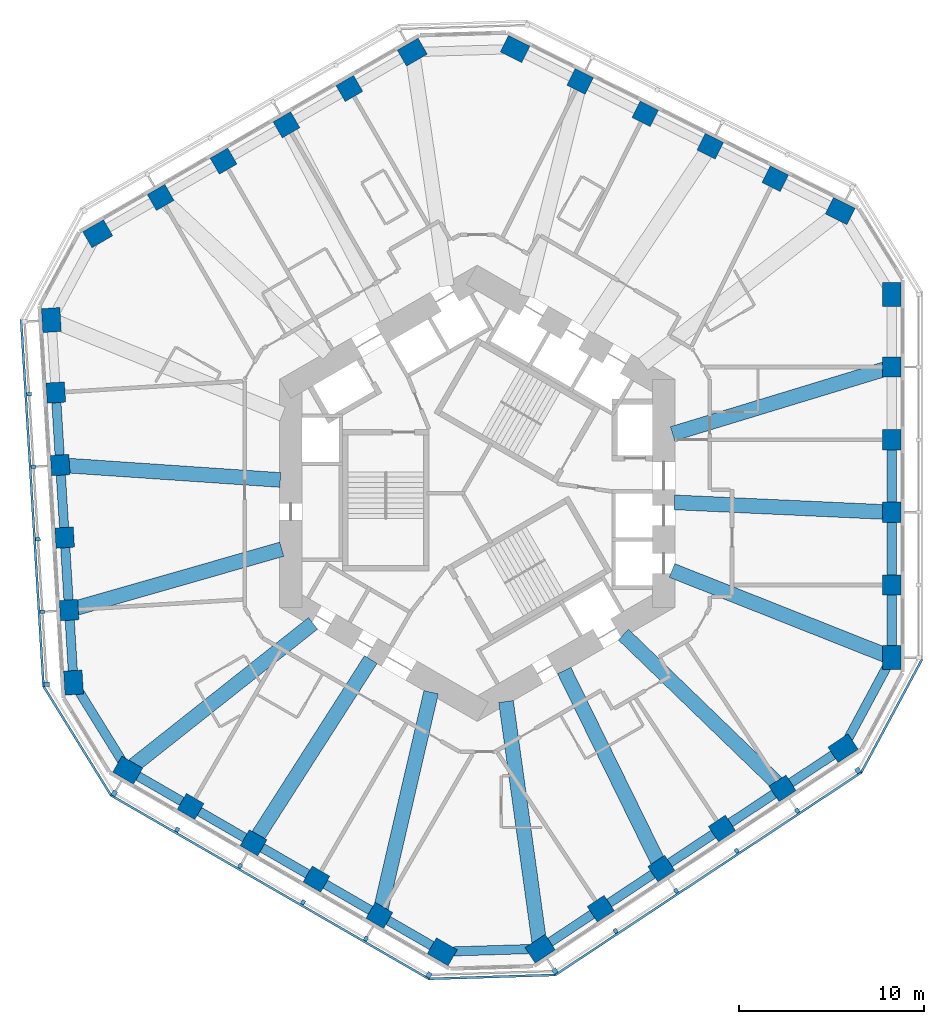
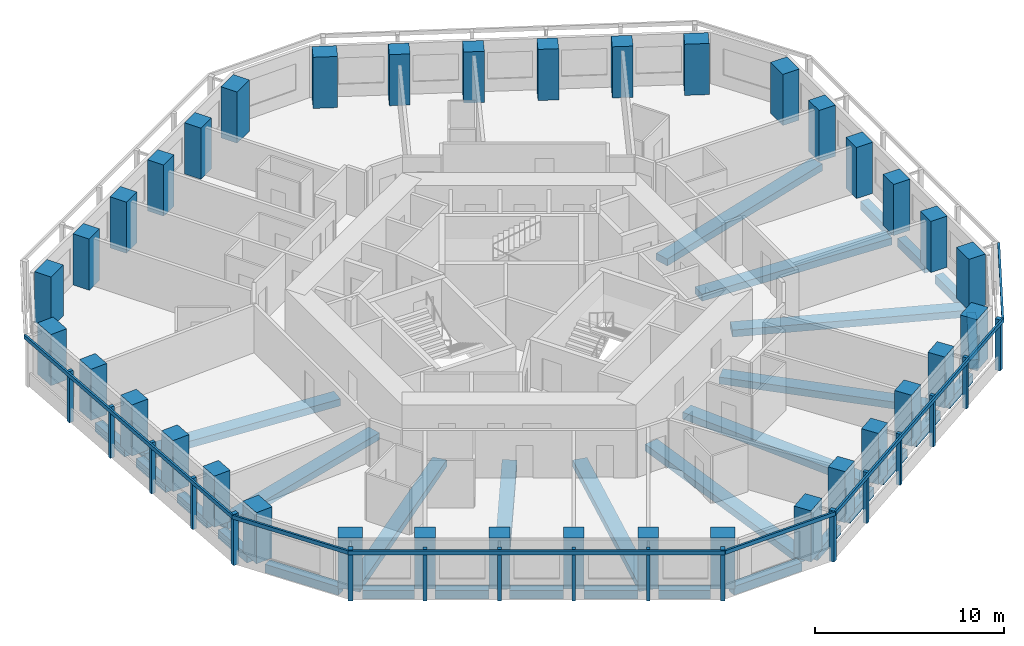
# One storey, part 1 of 12: 36 columns, 31 beams, 23 members, 6 elements without a shape of their own.
"""IFC4 building model written with IfcOpenShell, lengths in metres."""

import ifcopenshell
import ifcopenshell.guid

model = None  # the IFC model being written
_history = None  # IfcOwnerHistory: only IFC2X3 demands one
_inside = {}  # id of a spatial element -> (the spatial element, [elements in it])
_under = {}  # id of a project, library or spatial element -> (it, [spatial elements below it])
_declared = {}  # id of a project -> (the project, [libraries it declares])
_typed = {}  # id of a type object -> (the type object, [elements of that type])
_made_of = {}  # id of a material, layer set ... -> (it, [elements and type objects made of it])


def new_model(schema):
    """Start an empty IFC model of exactly this schema.

    Asked for "IFC4X3", IfcOpenShell would pick the latest addendum, in which some entities
    have other attributes; the version numbers below select the first issue.
    IFC2X3 requires an IfcOwnerHistory on every rooted entity: one is made here for all.
    """
    global model, _history
    if schema == "IFC4X3":
        model = ifcopenshell.file(schema_version=(4, 3, 0, 0))
    else:
        model = ifcopenshell.file(schema=schema)
    _inside.clear()
    _under.clear()
    _declared.clear()
    _typed.clear()
    _made_of.clear()
    _history = None
    if model.schema == "IFC2X3":
        org = make("IfcOrganization", Name="unknown")
        user = make(
            "IfcPersonAndOrganization",
            ThePerson=make("IfcPerson", FamilyName="unknown"),
            TheOrganization=org,
        )
        app = make(
            "IfcApplication",
            ApplicationDeveloper=org,
            Version="unknown",
            ApplicationFullName="unknown",
            ApplicationIdentifier="unknown",
        )
        _history = make(
            "IfcOwnerHistory",
            OwningUser=user,
            OwningApplication=app,
            ChangeAction="ADDED",
            CreationDate=0,
        )
    return model


def make(cls, **values):
    """One entity of the class cls with the attributes given. An attribute that is None is left unset."""
    return model.create_entity(
        cls, **{name: value for name, value in values.items() if value is not None}
    )


def rooted(cls, **values):
    """An entity with a GlobalId (a new one), such as an element, a storey or a relation."""
    return make(cls, GlobalId=ifcopenshell.guid.new(), OwnerHistory=_history, **values)


def si_unit(unit_type, name, prefix=None):
    """IfcSIUnit, for example si_unit("LENGTHUNIT", "METRE", prefix="MILLI")."""
    return make("IfcSIUnit", UnitType=unit_type, Prefix=prefix, Name=name)


def assignment(units):
    """IfcUnitAssignment: the units of a project."""
    return None if units is None else make("IfcUnitAssignment", Units=units)


def point(xyz):
    """IfcCartesianPoint."""
    return None if xyz is None else make("IfcCartesianPoint", Coordinates=xyz)


def direction(xyz):
    """IfcDirection."""
    return None if xyz is None else make("IfcDirection", DirectionRatios=xyz)


def frame(location, z_axis=None, x_axis=None):
    """IfcAxis2Placement3D, a coordinate frame: its origin and axes. An axis left out is left unset."""
    return make(
        "IfcAxis2Placement3D",
        Location=point(location),
        Axis=direction(z_axis),
        RefDirection=direction(x_axis),
    )


def frame_2d(location, x_axis=None):
    """IfcAxis2Placement2D, a coordinate frame in the plane: its origin and x axis."""
    return make(
        "IfcAxis2Placement2D", Location=point(location), RefDirection=direction(x_axis)
    )


def origin():
    """The frame at (0, 0, 0) with its axes left unset."""
    return frame((0.0, 0.0, 0.0))


def origin_2d():
    """The frame at (0, 0) in the plane with its x axis left unset."""
    return frame_2d((0.0, 0.0))


def place(relative_to, where):
    """IfcLocalPlacement: puts the frame where relative to a parent placement (None: the world)."""
    return make(
        "IfcLocalPlacement", PlacementRelTo=relative_to, RelativePlacement=where
    )


def context(
    kind, dimensions, precision=None, world=None, true_north=None, identifier=None
):
    """IfcGeometricRepresentationContext, for example the 3D "Model" context."""
    return make(
        "IfcGeometricRepresentationContext",
        ContextIdentifier=identifier,
        ContextType=kind,
        CoordinateSpaceDimension=dimensions,
        Precision=precision,
        WorldCoordinateSystem=world,
        TrueNorth=true_north,
    )


def subcontext(parent, identifier, kind, view, scale=None):
    """IfcGeometricRepresentationSubContext, for example "Body" below "Model"."""
    return make(
        "IfcGeometricRepresentationSubContext",
        ContextIdentifier=identifier,
        ContextType=kind,
        ParentContext=parent,
        TargetScale=scale,
        TargetView=view,
    )


def project(units=None, contexts=None):
    """IfcProject with its units and contexts."""
    return rooted(
        "IfcProject",
        Name="project",
        RepresentationContexts=contexts,
        UnitsInContext=assignment(units),
    )


def spatial(cls, under=None, at=None, **own):
    """A site, building, storey or space (cls), placed at a placement, below another one or the project."""
    s = rooted(cls, ObjectPlacement=at, **own)
    if under is not None:
        _under.setdefault(under.id(), (under, []))[1].append(s)
    return s


def profile(cls, at=None, kind="AREA", **sizes):
    """A parametric profile (cls). Its sizes go by their IFC names, for example OverallWidth=200.0."""
    return make(cls, ProfileType=kind, Position=at, **sizes)


def rectangle(**sizes):
    """IfcRectangleProfileDef."""
    return profile("IfcRectangleProfileDef", **sizes)


def extrude(swept, where, along, depth):
    """IfcExtrudedAreaSolid: the profile swept, set in the frame where, extruded along a direction by depth."""
    return make(
        "IfcExtrudedAreaSolid",
        SweptArea=swept,
        Position=where,
        ExtrudedDirection=direction(along),
        Depth=depth,
    )


def shape(context_of_items, identifier, shape_type, items):
    """IfcShapeRepresentation: the items that make up one representation, for example the "Body"."""
    return make(
        "IfcShapeRepresentation",
        ContextOfItems=context_of_items,
        RepresentationIdentifier=identifier,
        RepresentationType=shape_type,
        Items=items,
    )


def material(Name=None, Category=None):
    """IfcMaterial."""
    return make("IfcMaterial", Name=Name, Category=Category)


def material_profile(
    of_material, cross_section, Name=None, Category=None, Priority=None
):
    """IfcMaterialProfile: a cross section and its material."""
    return make(
        "IfcMaterialProfile",
        Name=Name,
        Material=of_material,
        Profile=cross_section,
        Priority=Priority,
        Category=Category,
    )


def profile_set(profiles, Name=None, composite=None):
    """IfcMaterialProfileSet."""
    return make(
        "IfcMaterialProfileSet",
        Name=Name,
        MaterialProfiles=profiles,
        CompositeProfile=composite,
    )


def made_of(thing, what):
    """Note that an element or type object is made of a material, layer set ...; save() writes the relation."""
    if what is not None:
        _made_of.setdefault(what.id(), (what, []))[1].append(thing)
    return thing


def type_object(cls, material=None, **own):
    """A type object (cls), such as IfcWallType, which elements share."""
    return made_of(rooted(cls, **own), material)


def element(
    cls,
    number,
    at=None,
    inside=None,
    cuts=None,
    type_object=None,
    material=None,
    context=None,
    identifier="Body",
    shape_type=None,
    held_by="IfcProductDefinitionShape",
    body=None,
    shapes=None,
    **own,
):
    """One element of the class cls, such as IfcWall. Its Tag is "e" and its number.

    at: its placement. inside: the storey or other place that contains it. cuts: it is an
    opening in that element (IfcRelVoidsElement). A single representation is given by context,
    identifier, shape_type and body (its items); several are given by shapes. held_by: the class
    of the entity that holds the representations. save() writes the other relations.
    """
    e = rooted(cls, Tag="e%d" % number, ObjectPlacement=at, **own)
    if body is not None:
        shapes = [shape(context, identifier, shape_type, body)]
    if shapes is not None:
        e.Representation = make(held_by, Representations=shapes)
    if inside is not None:
        _inside.setdefault(inside.id(), (inside, []))[1].append(e)
    if cuts is not None:
        rooted(
            "IfcRelVoidsElement", RelatingBuildingElement=cuts, RelatedOpeningElement=e
        )
    if type_object is not None:
        _typed.setdefault(type_object.id(), (type_object, []))[1].append(e)
    return made_of(e, material)


def aggregate(whole, parts):
    """IfcRelAggregates: a whole, such as a stair, and the parts it consists of."""
    return rooted("IfcRelAggregates", RelatingObject=whole, RelatedObjects=parts)


def save(model, path):
    """Write the relations noted so far, then the file.

    IfcRelAggregates (storeys below a building ...), IfcRelContainedInSpatialStructure (elements
    in a storey), IfcRelDefinesByType, IfcRelAssociatesMaterial and IfcRelDeclares: one each for
    every whole, place, type object, material and project.
    """
    for whole, parts in _under.values():
        aggregate(whole, parts)
    for where, things in _inside.values():
        rooted(
            "IfcRelContainedInSpatialStructure",
            RelatedElements=things,
            RelatingStructure=where,
        )
    for kind, things in _typed.values():
        rooted("IfcRelDefinesByType", RelatedObjects=things, RelatingType=kind)
    for what, things in _made_of.values():
        rooted("IfcRelAssociatesMaterial", RelatedObjects=things, RelatingMaterial=what)
    for by, libraries in _declared.values():
        rooted("IfcRelDeclares", RelatingContext=by, RelatedDefinitions=libraries)
    model.write(path)


model = new_model("IFC4")

# Units and contexts
model_context = context("Model", 3, precision=1e-05, world=origin(), true_north=direction((0.0, 1.0)))
body_context = subcontext(model_context, "Body", "Model", "MODEL_VIEW")
ifc_project = project(units=[si_unit("LENGTHUNIT", "METRE"), si_unit("AREAUNIT", "SQUARE_METRE"), si_unit("VOLUMEUNIT", "CUBIC_METRE"), si_unit("PLANEANGLEUNIT", "RADIAN"), si_unit("MASSUNIT", "GRAM", prefix="KILO")], contexts=[model_context])

# Site, building, storey
site_placement = place(None, origin())
site = spatial("IfcSite", under=ifc_project, at=site_placement, CompositionType="ELEMENT")
building_placement = place(site_placement, origin())
building = spatial("IfcBuilding", under=site, at=building_placement, Name="Vanh Sen Convention Tower", CompositionType="ELEMENT")
storey_placement = place(building_placement, frame((0.0, 0.0, 106.699951171875)))
storey = spatial("IfcBuildingStorey", under=building, at=storey_placement, Name="L25", CompositionType="ELEMENT", Elevation=106.699951171875)

# Columns
ifc_material_1 = material(Name="Concrete C80/95", Category="concrete")
ifc_material_profile_1 = material_profile(ifc_material_1, rectangle(XDim=1.10009765625, YDim=1.0, at=origin_2d()), Name="RC 1100X1000")
ifc_profile_set_1 = profile_set([ifc_material_profile_1], Name="Concrete C80/95")
column_type_1 = type_object("IfcColumnType", Name="Facade column 1100 x 1000 C80/95", PredefinedType="COLUMN", material=ifc_profile_set_1)
for number, where, z_axis, x_axis, name in (
    (1, (22.449951171875, -4.964599609375, 0.0), (0.0, 0.0, 1.0), (0.0, 1.0, 0.0), "Facade column 02 L25"),
    (2, (22.449951171875, -1.030029296875, 0.0), (0.0, 0.0, 1.0), (0.0, 1.0, 0.0), "Facade column 03 L25"),
    (3, (22.449951171875, 2.904541015625, 0.0), (0.0, 0.0, 1.0), (0.0, 1.0, 0.0), "Facade column 04 L25"),
    (4, (22.449951171875, 6.839111328125, 0.0), (0.0, 0.0, 1.0), (0.0, 1.0, 0.0), "Facade column 05 L25"),
    (5, (16.1376953125, 17.039794921875, 0.0), (0.0, 0.0, 1.0), (-0.894934361602, 0.44619781311, 0.0), "Facade column 08 L25"),
    (6, (12.616455078125, 18.79541015625, 0.0), (0.0, 0.0, 1.0), (-0.894934361602, 0.44619781311, 0.0), "Facade column 09 L25"),
    (7, (9.09521484375, 20.55078125, 0.0), (0.0, 0.0, 1.0), (-0.894934361602, 0.44619781311, 0.0), "Facade column 10 L25"),
    (8, (5.57421875, 22.306396484375, 0.0), (0.0, 0.0, 1.0), (-0.894934361602, 0.44619781311, 0.0), "Facade column 11 L25"),
    (9, (-6.925537109375, 21.924560546875, 0.0), (0.0, 0.0, 1.0), (-0.866025403784, -0.5, 0.0), "Facade column 14 L25"),
    (10, (-10.3330078125, 19.957275390625, 0.0), (0.0, 0.0, 1.0), (-0.866025403784, -0.5, 0.0), "Facade column 15 L25"),
    (11, (-13.740478515625, 17.989990234375, 0.0), (0.0, 0.0, 1.0), (-0.866025403784, -0.5, 0.0), "Facade column 16 L25"),
    (12, (-17.14794921875, 16.022705078125, 0.0), (0.0, 0.0, 1.0), (-0.866025403784, -0.5, 0.0), "Facade column 17 L25"),
    (13, (-22.82568359375, 5.455810546875, 0.0), (0.0, 0.0, 1.0), (0.061048539535, -0.998134798422, 0.0), "Facade column 20 L25"),
    (14, (-22.58544921875, 1.528564453125, 0.0), (0.0, 0.0, 1.0), (0.061048539535, -0.998134798422, 0.0), "Facade column 21 L25"),
    (15, (-22.34521484375, -2.398681640625, 0.0), (0.0, 0.0, 1.0), (0.061048539535, -0.998134798422, 0.0), "Facade column 22 L25"),
    (16, (-22.10498046875, -6.325927734375, 0.0), (0.0, 0.0, 1.0), (0.061048539535, -0.998134798422, 0.0), "Facade column 23 L25"),
    (17, (-15.5244140625, -16.9599609375, 0.0), (0.0, 0.0, 1.0), (0.866025403784, -0.5, 0.0), "Facade column 26 L25"),
    (18, (-12.1171875, -18.92724609375, 0.0), (0.0, 0.0, 1.0), (0.866025403784, -0.5, 0.0), "Facade column 27 L25"),
    (19, (-8.709716796875, -20.89453125, 0.0), (0.0, 0.0, 1.0), (0.866025403784, -0.5, 0.0), "Facade column 28 L25"),
    (20, (-5.302001953125, -22.86181640625, 0.0), (0.0, 0.0, 1.0), (0.866025403784, -0.5, 0.0), "Facade column 29 L25"),
    (21, (6.68798828125, -22.49560546875, 0.0), (0.0, 0.0, 1.0), (0.833885822067, 0.551936985312, 0.0), "Facade column 32 L25"),
    (22, (9.968994140625, -20.323974609375, 0.0), (0.0, 0.0, 1.0), (0.833885822067, 0.551936985312, 0.0), "Facade column 33 L25"),
    (23, (13.25, -18.152099609375, 0.0), (0.0, 0.0, 1.0), (0.833885822067, 0.551936985312, 0.0), "Facade column 34 L25"),
    (24, (16.531005859375, -15.980712890625, 0.0), (0.0, 0.0, 1.0), (0.833885822067, 0.551936985312, 0.0), "Facade column 35 L25"),
):
    element("IfcColumn", number, at=place(storey_placement, frame(where, z_axis=z_axis, x_axis=x_axis)), inside=storey, type_object=column_type_1, Name=name, PredefinedType="COLUMN", context=body_context, shape_type="SweptSolid", body=[
        extrude(rectangle(XDim=1.10009765625, YDim=1.0, at=origin_2d()), origin(), (0.0, 0.0, 1.0), 3.300048828125),
    ])
ifc_material_profile_2 = material_profile(ifc_material_1, rectangle(XDim=1.300048828125, YDim=1.0, at=origin_2d()), Name="RC 1300X1000")
ifc_profile_set_2 = profile_set([ifc_material_profile_2], Name="Concrete C80/95")
column_type_2 = type_object("IfcColumnType", Name="Facade corner column 1300 x 1000 C80/95", PredefinedType="COLUMN", material=ifc_profile_set_2)
for number, where, z_axis, x_axis, name in (
    (25, (22.449951171875, -8.899169921875, 0.0), (0.0, 0.0, 1.0), (0.0, 1.0, 0.0), "Facade column 01 L25"),
    (26, (22.449951171875, 10.773681640625, 0.0), (0.0, 0.0, 1.0), (0.0, 1.0, 0.0), "Facade column 06 L25"),
    (27, (19.658935546875, 15.2841796875, 0.0), (0.0, 0.0, 1.0), (-0.894934361602, 0.44619781311, 0.0), "Facade column 07 L25"),
    (28, (2.052978515625, 24.06201171875, 0.0), (0.0, 0.0, 1.0), (-0.894934361602, 0.44619781311, 0.0), "Facade column 12 L25"),
    (29, (-3.51806640625, 23.891845703125, 0.0), (0.0, 0.0, 1.0), (-0.866025403784, -0.5, 0.0), "Facade column 13 L25"),
    (30, (-20.555419921875, 14.055419921875, 0.0), (0.0, 0.0, 1.0), (-0.866025403784, -0.5, 0.0), "Facade column 18 L25"),
    (31, (-23.06591796875, 9.383056640625, 0.0), (0.0, 0.0, 1.0), (0.061048539535, -0.998134798422, 0.0), "Facade column 19 L25"),
    (32, (-21.86474609375, -10.253173828125, 0.0), (0.0, 0.0, 1.0), (0.061048539535, -0.998134798422, 0.0), "Facade column 24 L25"),
    (33, (-18.931884765625, -14.99267578125, 0.0), (0.0, 0.0, 1.0), (0.866025403784, -0.5, 0.0), "Facade column 25 L25"),
    (34, (-1.894775390625, -24.8291015625, 0.0), (0.0, 0.0, 1.0), (0.866025403784, -0.5, 0.0), "Facade column 30 L25"),
    (35, (3.406982421875, -24.6669921875, 0.0), (0.0, 0.0, 1.0), (0.833885822067, 0.551936985312, 0.0), "Facade column 31 L25"),
    (36, (19.81201171875, -13.808837890625, 0.0), (0.0, 0.0, 1.0), (0.833885822067, 0.551936985312, 0.0), "Facade column 36 L25"),
):
    element("IfcColumn", number, at=place(storey_placement, frame(where, z_axis=z_axis, x_axis=x_axis)), inside=storey, type_object=column_type_2, Name=name, PredefinedType="COLUMN", context=body_context, shape_type="SweptSolid", body=[
        extrude(rectangle(XDim=1.300048828125, YDim=1.0, at=origin_2d()), origin(), (0.0, 0.0, 1.0), 3.300048828125),
    ])

# Curtain wall, member
ifc_material_2 = material(Name="Concrete C50/60", Category="concrete")
curtain_wall_type = type_object("IfcCurtainWallType", Name="Outer skin hotel zone", PredefinedType="NOTDEFINED", material=ifc_material_2)
curtain_wall_1_placement = place(storey_placement, origin())
curtain_wall_1 = element("IfcCurtainWall", 37, at=curtain_wall_1_placement, inside=storey, type_object=curtain_wall_type, Name="OUTER SKIN W L25", PredefinedType="NOTDEFINED")
ifc_material_profile_3 = material_profile(ifc_material_2, rectangle(XDim=0.25, YDim=0.300048828125, at=origin_2d()), Name="Outer skin precast corner fin 250 x 300")
ifc_profile_set_3 = profile_set([ifc_material_profile_3], Name="Concrete C50/60")
member_type_1 = type_object("IfcMemberType", Name="Outer skin precast corner fin 250 x 300", PredefinedType="MULLION", material=ifc_profile_set_3)
member_1_placement = place(storey_placement, frame((-23.31201171875, -10.341796875, 0.0), z_axis=(0.0, 0.0, 1.0), x_axis=(0.061048539535, -0.998134798422, 0.0)))
member_1 = element("IfcMember", 38, at=member_1_placement, type_object=member_type_1, Name="OUTER SKIN CORNER FIN 6 W L25", PredefinedType="MULLION", context=body_context, shape_type="SweptSolid", body=[
    extrude(rectangle(XDim=0.25, YDim=0.300048828125, at=origin_2d()), origin(), (0.0, 0.0, 1.0), 3.300048828125),
])

# Curtain wall, members
curtain_wall_2_placement = place(storey_placement, origin())
curtain_wall_2 = element("IfcCurtainWall", 39, at=curtain_wall_2_placement, inside=storey, type_object=curtain_wall_type, Name="OUTER SKIN SW L25", PredefinedType="NOTDEFINED")
member_2_placement = place(storey_placement, frame((-19.656982421875, -16.248291015625, 0.0), z_axis=(0.0, 0.0, 1.0), x_axis=(0.866025403784, -0.5, 0.0)))
member_2 = element("IfcMember", 40, at=member_2_placement, type_object=member_type_1, Name="OUTER SKIN CORNER FIN 1 SW L25", PredefinedType="MULLION", context=body_context, shape_type="SweptSolid", body=[
    extrude(rectangle(XDim=0.25, YDim=0.300048828125, at=origin_2d()), origin(), (0.0, 0.0, 1.0), 3.300048828125),
])
member_3_placement = place(storey_placement, frame((-2.61962890625, -26.084716796875, 0.0), z_axis=(0.0, 0.0, 1.0), x_axis=(0.866025403784, -0.5, 0.0)))
member_3 = element("IfcMember", 41, at=member_3_placement, type_object=member_type_1, Name="OUTER SKIN CORNER FIN 6 SW L25", PredefinedType="MULLION", context=body_context, shape_type="SweptSolid", body=[
    extrude(rectangle(XDim=0.25, YDim=0.300048828125, at=origin_2d()), origin(), (0.0, 0.0, 1.0), 3.300048828125),
])

curtain_wall_3_placement = place(storey_placement, origin())
curtain_wall_3 = element("IfcCurtainWall", 42, at=curtain_wall_3_placement, inside=storey, type_object=curtain_wall_type, Name="OUTER SKIN SE L25", PredefinedType="NOTDEFINED")
member_4_placement = place(storey_placement, frame((4.207275390625, -25.876220703125, 0.0), z_axis=(0.0, 0.0, 1.0), x_axis=(0.833885822067, 0.551936985312, 0.0)))
member_4 = element("IfcMember", 43, at=member_4_placement, type_object=member_type_1, Name="OUTER SKIN CORNER FIN 1 SE L25", PredefinedType="MULLION", context=body_context, shape_type="SweptSolid", body=[
    extrude(rectangle(XDim=0.25, YDim=0.300048828125, at=origin_2d()), origin(), (0.0, 0.0, 1.0), 3.300048828125),
])
member_5_placement = place(storey_placement, frame((20.6123046875, -15.01806640625, 0.0), z_axis=(0.0, 0.0, 1.0), x_axis=(0.833885822067, 0.551936985312, 0.0)))
member_5 = element("IfcMember", 44, at=member_5_placement, type_object=member_type_1, Name="OUTER SKIN CORNER FIN 6 SE L25", PredefinedType="MULLION", context=body_context, shape_type="SweptSolid", body=[
    extrude(rectangle(XDim=0.25, YDim=0.300048828125, at=origin_2d()), origin(), (0.0, 0.0, 1.0), 3.300048828125),
])

# Member
ifc_material_profile_4 = material_profile(ifc_material_2, rectangle(XDim=0.199951171875, YDim=0.25, at=origin_2d()), Name="Outer skin precast fin 200 x 250")
ifc_profile_set_4 = profile_set([ifc_material_profile_4], Name="Concrete C50/60")
member_type_2 = type_object("IfcMemberType", Name="Outer skin precast fin 200 x 250", PredefinedType="MULLION", material=ifc_profile_set_4)
member_6_placement = place(storey_placement, frame((-24.27294921875, 5.3671875, 0.0), z_axis=(0.0, 0.0, 1.0), x_axis=(0.061048539535, -0.998134798422, 0.0)))
member_6 = element("IfcMember", 45, at=member_6_placement, type_object=member_type_2, Name="OUTER SKIN fin 2 W L25", PredefinedType="MULLION", context=body_context, shape_type="SweptSolid", body=[
    extrude(rectangle(XDim=0.199951171875, YDim=0.25, at=origin_2d()), origin(), (0.0, 0.0, 1.0), 3.300048828125),
])

member_7_placement = place(storey_placement, frame((-24.03271484375, 1.440185546875, 0.0), z_axis=(0.0, 0.0, 1.0), x_axis=(0.061048539535, -0.998134798422, 0.0)))
member_7 = element("IfcMember", 46, at=member_7_placement, type_object=member_type_2, Name="OUTER SKIN fin 3 W L25", PredefinedType="MULLION", context=body_context, shape_type="SweptSolid", body=[
    extrude(rectangle(XDim=0.199951171875, YDim=0.25, at=origin_2d()), origin(), (0.0, 0.0, 1.0), 3.300048828125),
])

member_8_placement = place(storey_placement, frame((-23.79248046875, -2.4873046875, 0.0), z_axis=(0.0, 0.0, 1.0), x_axis=(0.061048539535, -0.998134798422, 0.0)))
member_8 = element("IfcMember", 47, at=member_8_placement, type_object=member_type_2, Name="OUTER SKIN fin 4 W L25", PredefinedType="MULLION", context=body_context, shape_type="SweptSolid", body=[
    extrude(rectangle(XDim=0.199951171875, YDim=0.25, at=origin_2d()), origin(), (0.0, 0.0, 1.0), 3.300048828125),
])

member_9_placement = place(storey_placement, frame((-23.55224609375, -6.414306640625, 0.0), z_axis=(0.0, 0.0, 1.0), x_axis=(0.061048539535, -0.998134798422, 0.0)))
member_9 = element("IfcMember", 48, at=member_9_placement, type_object=member_type_2, Name="OUTER SKIN fin 5 W L25", PredefinedType="MULLION", context=body_context, shape_type="SweptSolid", body=[
    extrude(rectangle(XDim=0.199951171875, YDim=0.25, at=origin_2d()), origin(), (0.0, 0.0, 1.0), 3.300048828125),
])

member_10_placement = place(storey_placement, frame((-16.24951171875, -18.2158203125, 0.0), z_axis=(0.0, 0.0, 1.0), x_axis=(0.866025403784, -0.5, 0.0)))
member_10 = element("IfcMember", 49, at=member_10_placement, type_object=member_type_2, Name="OUTER SKIN fin 2 SW L25", PredefinedType="MULLION", context=body_context, shape_type="SweptSolid", body=[
    extrude(rectangle(XDim=0.199951171875, YDim=0.25, at=origin_2d()), origin(), (0.0, 0.0, 1.0), 3.300048828125),
])

member_11_placement = place(storey_placement, frame((-12.842041015625, -20.182861328125, 0.0), z_axis=(0.0, 0.0, 1.0), x_axis=(0.866025403784, -0.5, 0.0)))
member_11 = element("IfcMember", 50, at=member_11_placement, type_object=member_type_2, Name="OUTER SKIN fin 3 SW L25", PredefinedType="MULLION", context=body_context, shape_type="SweptSolid", body=[
    extrude(rectangle(XDim=0.199951171875, YDim=0.25, at=origin_2d()), origin(), (0.0, 0.0, 1.0), 3.300048828125),
])

member_12_placement = place(storey_placement, frame((-9.4345703125, -22.150146484375, 0.0), z_axis=(0.0, 0.0, 1.0), x_axis=(0.866025403784, -0.5, 0.0)))
member_12 = element("IfcMember", 51, at=member_12_placement, type_object=member_type_2, Name="OUTER SKIN fin 4 SW L25", PredefinedType="MULLION", context=body_context, shape_type="SweptSolid", body=[
    extrude(rectangle(XDim=0.199951171875, YDim=0.25, at=origin_2d()), origin(), (0.0, 0.0, 1.0), 3.300048828125),
])

member_13_placement = place(storey_placement, frame((-6.027099609375, -24.117431640625, 0.0), z_axis=(0.0, 0.0, 1.0), x_axis=(0.866025403784, -0.5, 0.0)))
member_13 = element("IfcMember", 52, at=member_13_placement, type_object=member_type_2, Name="OUTER SKIN fin 5 SW L25", PredefinedType="MULLION", context=body_context, shape_type="SweptSolid", body=[
    extrude(rectangle(XDim=0.199951171875, YDim=0.25, at=origin_2d()), origin(), (0.0, 0.0, 1.0), 3.300048828125),
])

member_14_placement = place(storey_placement, frame((7.48828125, -23.70458984375, 0.0), z_axis=(0.0, 0.0, 1.0), x_axis=(0.833885822067, 0.551936985312, 0.0)))
member_14 = element("IfcMember", 53, at=member_14_placement, type_object=member_type_2, Name="OUTER SKIN fin 2 SE L25", PredefinedType="MULLION", context=body_context, shape_type="SweptSolid", body=[
    extrude(rectangle(XDim=0.199951171875, YDim=0.25, at=origin_2d()), origin(), (0.0, 0.0, 1.0), 3.300048828125),
])

member_15_placement = place(storey_placement, frame((10.769287109375, -21.532958984375, 0.0), z_axis=(0.0, 0.0, 1.0), x_axis=(0.833885822067, 0.551936985312, 0.0)))
member_15 = element("IfcMember", 54, at=member_15_placement, type_object=member_type_2, Name="OUTER SKIN fin 3 SE L25", PredefinedType="MULLION", context=body_context, shape_type="SweptSolid", body=[
    extrude(rectangle(XDim=0.199951171875, YDim=0.25, at=origin_2d()), origin(), (0.0, 0.0, 1.0), 3.300048828125),
])

member_16_placement = place(storey_placement, frame((14.05029296875, -19.361328125, 0.0), z_axis=(0.0, 0.0, 1.0), x_axis=(0.833885822067, 0.551936985312, 0.0)))
member_16 = element("IfcMember", 55, at=member_16_placement, type_object=member_type_2, Name="OUTER SKIN fin 4 SE L25", PredefinedType="MULLION", context=body_context, shape_type="SweptSolid", body=[
    extrude(rectangle(XDim=0.199951171875, YDim=0.25, at=origin_2d()), origin(), (0.0, 0.0, 1.0), 3.300048828125),
])

member_17_placement = place(storey_placement, frame((17.331298828125, -17.189697265625, 0.0), z_axis=(0.0, 0.0, 1.0), x_axis=(0.833885822067, 0.551936985312, 0.0)))
member_17 = element("IfcMember", 56, at=member_17_placement, type_object=member_type_2, Name="OUTER SKIN fin 5 SE L25", PredefinedType="MULLION", context=body_context, shape_type="SweptSolid", body=[
    extrude(rectangle(XDim=0.199951171875, YDim=0.25, at=origin_2d()), origin(), (0.0, 0.0, 1.0), 3.300048828125),
])

ifc_material_profile_5 = material_profile(ifc_material_2, rectangle(XDim=0.1201171875, YDim=0.25, at=origin_2d()), Name="Outer skin precast spandrel band 250 x 120")
ifc_profile_set_5 = profile_set([ifc_material_profile_5], Name="Concrete C50/60")
member_type_3 = type_object("IfcMemberType", Name="Outer skin precast spandrel band 250 x 120", PredefinedType="USERDEFINED", material=ifc_profile_set_5)
member_18_placement = place(storey_placement, frame((-24.705322265625, 9.408203125, 3.175048828125), z_axis=(0.061050017989, -0.998134707995, 0.0), x_axis=(0.998134707995, 0.061050017989, 0.0)))
member_18 = element("IfcMember", 57, at=member_18_placement, type_object=member_type_3, Name="OUTER SKIN spandrel band W L25", ObjectType="TRANSOM", PredefinedType="USERDEFINED", context=body_context, shape_type="SweptSolid", body=[
    extrude(rectangle(XDim=0.1201171875, YDim=0.25, at=origin_2d()), origin(), (0.0, 0.0, 1.0), 19.923095703125),
])

aggregate(curtain_wall_1, [member_6, member_7, member_8, member_9, member_1, member_18])

# Curtain wall, member
curtain_wall_4_placement = place(storey_placement, origin())
curtain_wall_4 = element("IfcCurtainWall", 58, at=curtain_wall_4_placement, inside=storey, type_object=curtain_wall_type, Name="OUTER SKIN CH4 L25", PredefinedType="NOTDEFINED")
member_19_placement = place(storey_placement, frame((-23.49072265625, -10.4521484375, 3.175048828125), z_axis=(0.526196095141, -0.850363257354, 0.0), x_axis=(0.850363257354, 0.526196095141, 0.0)))
member_19 = element("IfcMember", 59, at=member_19_placement, type_object=member_type_3, Name="OUTER SKIN spandrel band CH4 L25", ObjectType="TRANSOM", PredefinedType="USERDEFINED", context=body_context, shape_type="SweptSolid", body=[
    extrude(rectangle(XDim=0.1201171875, YDim=0.25, at=origin_2d()), origin(), (0.0, 0.0, 1.0), 6.946044921875),
])
aggregate(curtain_wall_4, [member_19])

# Member
member_20_placement = place(storey_placement, frame((-19.85791015625, -16.34619140625, 3.175048828125), z_axis=(0.866028047459, -0.499995420993, 0.0), x_axis=(0.499995420993, 0.866028047459, 0.0)))
member_20 = element("IfcMember", 60, at=member_20_placement, type_object=member_type_3, Name="OUTER SKIN spandrel band SW L25", ObjectType="TRANSOM", PredefinedType="USERDEFINED", context=body_context, shape_type="SweptSolid", body=[
    extrude(rectangle(XDim=0.1201171875, YDim=0.25, at=origin_2d()), origin(), (0.0, 0.0, 1.0), 19.923095703125),
])

aggregate(curtain_wall_2, [member_2, member_10, member_11, member_12, member_13, member_3, member_20])

# Curtain wall, member
curtain_wall_5_placement = place(storey_placement, origin())
curtain_wall_5 = element("IfcCurtainWall", 61, at=curtain_wall_5_placement, inside=storey, type_object=curtain_wall_type, Name="OUTER SKIN CH5 L25", PredefinedType="NOTDEFINED")
member_21_placement = place(storey_placement, frame((-2.61328125, -26.294677734375, 3.175048828125), z_axis=(0.99953396928, 0.030526124156, 0.0), x_axis=(-0.030526124156, 0.99953396928, 0.0)))
member_21 = element("IfcMember", 62, at=member_21_placement, type_object=member_type_3, Name="OUTER SKIN spandrel band CH5 L25", ObjectType="TRANSOM", PredefinedType="USERDEFINED", context=body_context, shape_type="SweptSolid", body=[
    extrude(rectangle(XDim=0.1201171875, YDim=0.25, at=origin_2d()), origin(), (0.0, 0.0, 1.0), 6.830078125),
])
aggregate(curtain_wall_5, [member_21])

# Member
member_22_placement = place(storey_placement, frame((4.205078125, -26.099609375, 3.175048828125), z_axis=(0.833883851182, 0.551939962984, 0.0), x_axis=(-0.551939962984, 0.833883851182, 0.0)))
member_22 = element("IfcMember", 63, at=member_22_placement, type_object=member_type_3, Name="OUTER SKIN spandrel band SE L25", ObjectType="TRANSOM", PredefinedType="USERDEFINED", context=body_context, shape_type="SweptSolid", body=[
    extrude(rectangle(XDim=0.1201171875, YDim=0.25, at=origin_2d()), origin(), (0.0, 0.0, 1.0), 19.923095703125),
])

aggregate(curtain_wall_3, [member_4, member_14, member_15, member_16, member_17, member_5, member_22])

# Curtain wall, member
curtain_wall_6_placement = place(storey_placement, origin())
curtain_wall_6 = element("IfcCurtainWall", 64, at=curtain_wall_6_placement, inside=storey, type_object=curtain_wall_type, Name="OUTER SKIN CH6 L25", PredefinedType="NOTDEFINED")
member_23_placement = place(storey_placement, frame((20.797119140625, -15.117431640625, 3.175048828125), z_axis=(0.473324148816, 0.880888330123, 0.0), x_axis=(-0.880888330123, 0.473324148816, 0.0)))
member_23 = element("IfcMember", 65, at=member_23_placement, type_object=member_type_3, Name="OUTER SKIN spandrel band CH6 L25", ObjectType="TRANSOM", PredefinedType="USERDEFINED", context=body_context, shape_type="SweptSolid", body=[
    extrude(rectangle(XDim=0.1201171875, YDim=0.25, at=origin_2d()), origin(), (0.0, 0.0, 1.0), 6.9462890625),
])
aggregate(curtain_wall_6, [member_23])

# Beams
ifc_material_3 = material(Name="Concrete C50/60", Category="concrete")
ifc_material_profile_6 = material_profile(ifc_material_3, rectangle(XDim=0.800048828125, YDim=0.449951171875, at=origin_2d()), Name="RC 800X450")
ifc_profile_set_6 = profile_set([ifc_material_profile_6], Name="Concrete C50/60")
beam_type_1 = type_object("IfcBeamType", Name="Radial floor beam 800 x 450", PredefinedType="BEAM", material=ifc_profile_set_6)
beam_1_placement = place(storey_placement, frame((22.10205078125, -8.76123046875, -0.474853515625), z_axis=(-0.929623737454, 0.368510117584, 0.0), x_axis=(-0.368510117584, -0.929623737454, 0.0)))
element("IfcBeam", 66, at=beam_1_placement, inside=storey, type_object=beam_type_1, Name="Radial beam 01 L25", PredefinedType="BEAM", context=body_context, shape_type="SweptSolid", body=[
    extrude(rectangle(XDim=0.800048828125, YDim=0.449951171875, at=origin_2d()), origin(), (0.0, 0.0, 1.0), 12.4287109375),
])
beam_2_placement = place(storey_placement, frame((21.973388671875, -1.00830078125, -0.474853515625), z_axis=(-0.998949085964, 0.045833651953, 0.0), x_axis=(-0.045833651953, -0.998949085964, 0.0)))
element("IfcBeam", 67, at=beam_2_placement, inside=storey, type_object=beam_type_1, Name="Radial beam 02 L25", PredefinedType="BEAM", context=body_context, shape_type="SweptSolid", body=[
    extrude(rectangle(XDim=0.800048828125, YDim=0.449951171875, at=origin_2d()), origin(), (0.0, 0.0, 1.0), 11.30859375),
])
beam_3_placement = place(storey_placement, frame((22.0712890625, 6.7236328125, -0.474853515625), z_axis=(-0.956599525752, -0.29140581211, 0.0), x_axis=(0.29140581211, -0.956599525752, 0.0)))
element("IfcBeam", 68, at=beam_3_placement, inside=storey, type_object=beam_type_1, Name="Radial beam 03 L25", PredefinedType="BEAM", context=body_context, shape_type="SweptSolid", body=[
    extrude(rectangle(XDim=0.800048828125, YDim=0.449951171875, at=origin_2d()), origin(), (0.0, 0.0, 1.0), 12.01416015625),
])
beam_4_placement = place(storey_placement, frame((-22.138916015625, 1.498291015625, -0.474853515625), z_axis=(0.997717468066, -0.0675266904, 0.0), x_axis=(0.0675266904, 0.997717468066, 0.0)))
element("IfcBeam", 69, at=beam_4_placement, inside=storey, type_object=beam_type_1, Name="Radial beam 11 L25", PredefinedType="BEAM", context=body_context, shape_type="SweptSolid", body=[
    extrude(rectangle(XDim=0.800048828125, YDim=0.449951171875, at=origin_2d()), origin(), (0.0, 0.0, 1.0), 11.4970703125),
])
beam_5_placement = place(storey_placement, frame((-21.70263671875, -6.210693359375, -0.474853515625), z_axis=(0.96140993594, 0.275119855837, 0.0), x_axis=(-0.275119855837, 0.96140993594, 0.0)))
element("IfcBeam", 70, at=beam_5_placement, inside=storey, type_object=beam_type_1, Name="Radial beam 12 L25", PredefinedType="BEAM", context=body_context, shape_type="SweptSolid", body=[
    extrude(rectangle(XDim=0.800048828125, YDim=0.449951171875, at=origin_2d()), origin(), (0.0, 0.0, 1.0), 11.563720703125),
])
beam_6_placement = place(storey_placement, frame((-18.638671875, -14.76025390625, -0.474853515625), z_axis=(0.78395420425, 0.620818657612, 0.0), x_axis=(-0.620818657612, 0.78395420425, 0.0)))
element("IfcBeam", 71, at=beam_6_placement, inside=storey, type_object=beam_type_1, Name="Radial beam 13 L25", PredefinedType="BEAM", context=body_context, shape_type="SweptSolid", body=[
    extrude(rectangle(XDim=0.800048828125, YDim=0.449951171875, at=origin_2d()), origin(), (0.0, 0.0, 1.0), 12.428955078125),
])
beam_7_placement = place(storey_placement, frame((-11.85986328125, -18.525390625, -0.474853515625), z_axis=(0.539160288654, 0.842203172126, 0.0), x_axis=(-0.842203172126, 0.539160288654, 0.0)))
element("IfcBeam", 72, at=beam_7_placement, inside=storey, type_object=beam_type_1, Name="Radial beam 14 L25", PredefinedType="BEAM", context=body_context, shape_type="SweptSolid", body=[
    extrude(rectangle(XDim=0.800048828125, YDim=0.449951171875, at=origin_2d()), origin(), (0.0, 0.0, 1.0), 11.30859375),
])
beam_8_placement = place(storey_placement, frame((-5.212646484375, -22.476318359375, -0.474853515625), z_axis=(0.225927931957, 0.974144018902, 0.0), x_axis=(-0.974144018902, 0.225927931957, 0.0)))
element("IfcBeam", 73, at=beam_8_placement, inside=storey, type_object=beam_type_1, Name="Radial beam 15 L25", PredefinedType="BEAM", context=body_context, shape_type="SweptSolid", body=[
    extrude(rectangle(XDim=0.800048828125, YDim=0.449951171875, at=origin_2d()), origin(), (0.0, 0.0, 1.0), 12.01416015625),
])
beam_9_placement = place(storey_placement, frame((3.35791015625, -24.312744140625, -0.474853515625), z_axis=(-0.136801873088, 0.990598428991, 0.0), x_axis=(-0.990598428991, -0.136801873088, 0.0)))
element("IfcBeam", 74, at=beam_9_placement, inside=storey, type_object=beam_type_1, Name="Radial beam 16 L25", PredefinedType="BEAM", context=body_context, shape_type="SweptSolid", body=[
    extrude(rectangle(XDim=0.800048828125, YDim=0.449951171875, at=origin_2d()), origin(), (0.0, 0.0, 1.0), 13.159912109375),
])
beam_10_placement = place(storey_placement, frame((9.77197265625, -19.922119140625, -0.474853515625), z_axis=(-0.440388501121, 0.89780731122, 0.0), x_axis=(-0.89780731122, -0.440388501121, 0.0)))
element("IfcBeam", 75, at=beam_10_placement, inside=storey, type_object=beam_type_1, Name="Radial beam 17 L25", PredefinedType="BEAM", context=body_context, shape_type="SweptSolid", body=[
    extrude(rectangle(XDim=0.800048828125, YDim=0.449951171875, at=origin_2d()), origin(), (0.0, 0.0, 1.0), 11.497314453125),
])
beam_11_placement = place(storey_placement, frame((16.22998046875, -15.689697265625, -0.474853515625), z_axis=(-0.718965868582, 0.695045379679, 0.0), x_axis=(-0.695045379679, -0.718965868582, 0.0)))
element("IfcBeam", 76, at=beam_11_placement, inside=storey, type_object=beam_type_1, Name="Radial beam 18 L25", PredefinedType="BEAM", context=body_context, shape_type="SweptSolid", body=[
    extrude(rectangle(XDim=0.800048828125, YDim=0.449951171875, at=origin_2d()), origin(), (0.0, 0.0, 1.0), 11.563720703125),
])
ifc_material_profile_7 = material_profile(ifc_material_3, rectangle(XDim=0.5, YDim=0.550048828125, at=origin_2d()), Name="RC 500X550")
ifc_profile_set_7 = profile_set([ifc_material_profile_7], Name="Concrete C50/60")
beam_type_2 = type_object("IfcBeamType", Name="Spandrel beam 500 x 550", PredefinedType="SPANDREL", material=ifc_profile_set_7)
beam_12_placement = place(storey_placement, frame((22.449951171875, -8.254150390625, -0.52490234375), z_axis=(0.0, 1.0, 0.0), x_axis=(-1.0, 0.0, 0.0)))
element("IfcBeam", 77, at=beam_12_placement, inside=storey, type_object=beam_type_2, Name="Spandrel beam 01 L25", PredefinedType="SPANDREL", context=body_context, shape_type="SweptSolid", body=[
    extrude(rectangle(XDim=0.5, YDim=0.550048828125, at=origin_2d()), origin(), (0.0, 0.0, 1.0), 2.74462890625),
])
beam_13_placement = place(storey_placement, frame((22.449951171875, -4.419677734375, -0.52490234375), z_axis=(0.0, 1.0, 0.0), x_axis=(-1.0, 0.0, 0.0)))
element("IfcBeam", 78, at=beam_13_placement, inside=storey, type_object=beam_type_2, Name="Spandrel beam 02 L25", PredefinedType="SPANDREL", context=body_context, shape_type="SweptSolid", body=[
    extrude(rectangle(XDim=0.5, YDim=0.550048828125, at=origin_2d()), origin(), (0.0, 0.0, 1.0), 2.844482421875),
])
for number, where, z_axis, x_axis, name in (
    (79, (22.449951171875, -0.485107421875, -0.52490234375), (0.0, 1.0, 0.0), (-1.0, 0.0, 0.0), "Spandrel beam 03 L25"),
    (80, (-22.792236328125, 4.911865234375, -0.52490234375), (0.061021069303, -0.998136478194, 0.0), (0.998136478194, 0.061021069303, 0.0), "Spandrel beam 20 L25"),
    (81, (-22.552001953125, 0.984619140625, -0.52490234375), (0.061021069303, -0.998136478194, 0.0), (0.998136478194, 0.061021069303, 0.0), "Spandrel beam 21 L25"),
    (82, (-22.31201171875, -2.942626953125, -0.52490234375), (0.061106573347, -0.998131247228, 0.0), (0.998131247228, 0.061106573347, 0.0), "Spandrel beam 22 L25"),
):
    element("IfcBeam", number, at=place(storey_placement, frame(where, z_axis=z_axis, x_axis=x_axis)), inside=storey, type_object=beam_type_2, Name=name, PredefinedType="SPANDREL", context=body_context, shape_type="SweptSolid", body=[
        extrude(rectangle(XDim=0.5, YDim=0.550048828125, at=origin_2d()), origin(), (0.0, 0.0, 1.0), 2.8447265625),
    ])
beam_14_placement = place(storey_placement, frame((-22.07177734375, -6.869873046875, -0.52490234375), z_axis=(0.061021442686, -0.998136455367, 0.0), x_axis=(0.998136455367, 0.061021442686, 0.0)))
element("IfcBeam", 83, at=beam_14_placement, inside=storey, type_object=beam_type_2, Name="Spandrel beam 23 L25", PredefinedType="SPANDREL", context=body_context, shape_type="SweptSolid", body=[
    extrude(rectangle(XDim=0.5, YDim=0.550048828125, at=origin_2d()), origin(), (0.0, 0.0, 1.0), 2.74462890625),
])
beam_15_placement = place(storey_placement, frame((-21.556396484375, -10.75146484375, -0.52490234375), z_axis=(0.526169375405, -0.850379790674, 0.0), x_axis=(0.850379790674, 0.526169375405, 0.0)))
element("IfcBeam", 84, at=beam_15_placement, inside=storey, type_object=beam_type_2, Name="Spandrel beam 24 L25", PredefinedType="SPANDREL", context=body_context, shape_type="SweptSolid", body=[
    extrude(rectangle(XDim=0.5, YDim=0.550048828125, at=origin_2d()), origin(), (0.0, 0.0, 1.0), 4.4013671875),
])
beam_16_placement = place(storey_placement, frame((-18.373291015625, -15.315185546875, -0.52490234375), z_axis=(0.866006330792, -0.500033033937, 0.0), x_axis=(0.500033033937, 0.866006330792, 0.0)))
element("IfcBeam", 85, at=beam_16_placement, inside=storey, type_object=beam_type_2, Name="Spandrel beam 25 L25", PredefinedType="SPANDREL", context=body_context, shape_type="SweptSolid", body=[
    extrude(rectangle(XDim=0.5, YDim=0.550048828125, at=origin_2d()), origin(), (0.0, 0.0, 1.0), 2.744384765625),
])
for number, where, z_axis, x_axis, name in (
    (86, (-15.052490234375, -17.232421875, -0.52490234375), (0.866005490874, -0.500034488586, 0.0), (0.500034488586, 0.866005490874, 0.0), "Spandrel beam 26 L25"),
    (87, (-11.64501953125, -19.19970703125, -0.52490234375), (0.866005490874, -0.500034488586, 0.0), (0.500034488586, 0.866005490874, 0.0), "Spandrel beam 27 L25"),
    (88, (-8.237548828125, -21.1669921875, -0.52490234375), (0.866005490874, -0.500034488586, 0.0), (0.500034488586, 0.866005490874, 0.0), "Spandrel beam 28 L25"),
):
    element("IfcBeam", number, at=place(storey_placement, frame(where, z_axis=z_axis, x_axis=x_axis)), inside=storey, type_object=beam_type_2, Name=name, PredefinedType="SPANDREL", context=body_context, shape_type="SweptSolid", body=[
        extrude(rectangle(XDim=0.5, YDim=0.550048828125, at=origin_2d()), origin(), (0.0, 0.0, 1.0), 2.844482421875),
    ])
beam_17_placement = place(storey_placement, frame((-4.830078125, -23.13427734375, -0.52490234375), z_axis=(0.866006330792, -0.500033033937, 0.0), x_axis=(0.500033033937, 0.866006330792, 0.0)))
element("IfcBeam", 89, at=beam_17_placement, inside=storey, type_object=beam_type_2, Name="Spandrel beam 29 L25", PredefinedType="SPANDREL", context=body_context, shape_type="SweptSolid", body=[
    extrude(rectangle(XDim=0.5, YDim=0.550048828125, at=origin_2d()), origin(), (0.0, 0.0, 1.0), 2.744384765625),
])
beam_18_placement = place(storey_placement, frame((-1.353759765625, -24.8125, -0.52490234375), z_axis=(0.999533721385, 0.030534240042, 0.0), x_axis=(-0.030534240042, 0.999533721385, 0.0)))
element("IfcBeam", 90, at=beam_18_placement, inside=storey, type_object=beam_type_2, Name="Spandrel beam 30 L25", PredefinedType="SPANDREL", context=body_context, shape_type="SweptSolid", body=[
    extrude(rectangle(XDim=0.5, YDim=0.550048828125, at=origin_2d()), origin(), (0.0, 0.0, 1.0), 4.2216796875),
])
beam_19_placement = place(storey_placement, frame((3.94482421875, -24.31103515625, -0.52490234375), z_axis=(0.833906917805, 0.551905111805, 0.0), x_axis=(-0.551905111805, 0.833906917805, 0.0)))
element("IfcBeam", 91, at=beam_19_placement, inside=storey, type_object=beam_type_2, Name="Spandrel beam 31 L25", PredefinedType="SPANDREL", context=body_context, shape_type="SweptSolid", body=[
    extrude(rectangle(XDim=0.5, YDim=0.550048828125, at=origin_2d()), origin(), (0.0, 0.0, 1.0), 2.744384765625),
])
beam_20_placement = place(storey_placement, frame((7.142333984375, -22.194580078125, -0.52490234375), z_axis=(0.833920587756, 0.551884456491, 0.0), x_axis=(-0.551884456491, 0.833920587756, 0.0)))
element("IfcBeam", 92, at=beam_20_placement, inside=storey, type_object=beam_type_2, Name="Spandrel beam 32 L25", PredefinedType="SPANDREL", context=body_context, shape_type="SweptSolid", body=[
    extrude(rectangle(XDim=0.5, YDim=0.550048828125, at=origin_2d()), origin(), (0.0, 0.0, 1.0), 2.844482421875),
])
beam_21_placement = place(storey_placement, frame((10.42333984375, -20.023193359375, -0.52490234375), z_axis=(0.833841584342, 0.552003815406, 0.0), x_axis=(-0.552003815406, 0.833841584342, 0.0)))
element("IfcBeam", 93, at=beam_21_placement, inside=storey, type_object=beam_type_2, Name="Spandrel beam 33 L25", PredefinedType="SPANDREL", context=body_context, shape_type="SweptSolid", body=[
    extrude(rectangle(XDim=0.5, YDim=0.550048828125, at=origin_2d()), origin(), (0.0, 0.0, 1.0), 2.8447265625),
])
beam_22_placement = place(storey_placement, frame((13.704345703125, -17.851318359375, -0.52490234375), z_axis=(0.833920587756, 0.551884456491, 0.0), x_axis=(-0.551884456491, 0.833920587756, 0.0)))
element("IfcBeam", 94, at=beam_22_placement, inside=storey, type_object=beam_type_2, Name="Spandrel beam 34 L25", PredefinedType="SPANDREL", context=body_context, shape_type="SweptSolid", body=[
    extrude(rectangle(XDim=0.5, YDim=0.550048828125, at=origin_2d()), origin(), (0.0, 0.0, 1.0), 2.844482421875),
])
beam_23_placement = place(storey_placement, frame((16.9853515625, -15.6796875, -0.52490234375), z_axis=(0.833865974996, 0.551966969794, 0.0), x_axis=(-0.551966969794, 0.833865974996, 0.0)))
element("IfcBeam", 95, at=beam_23_placement, inside=storey, type_object=beam_type_2, Name="Spandrel beam 35 L25", PredefinedType="SPANDREL", context=body_context, shape_type="SweptSolid", body=[
    extrude(rectangle(XDim=0.5, YDim=0.550048828125, at=origin_2d()), origin(), (0.0, 0.0, 1.0), 2.74462890625),
])
beam_24_placement = place(storey_placement, frame((20.08935546875, -13.29248046875, -0.52490234375), z_axis=(0.473335516366, 0.880882221949, 0.0), x_axis=(-0.880882221949, 0.473335516366, 0.0)))
element("IfcBeam", 96, at=beam_24_placement, inside=storey, type_object=beam_type_2, Name="Spandrel beam 36 L25", PredefinedType="SPANDREL", context=body_context, shape_type="SweptSolid", body=[
    extrude(rectangle(XDim=0.5, YDim=0.550048828125, at=origin_2d()), origin(), (0.0, 0.0, 1.0), 4.401123046875),
])

save(model, "model.ifc")
